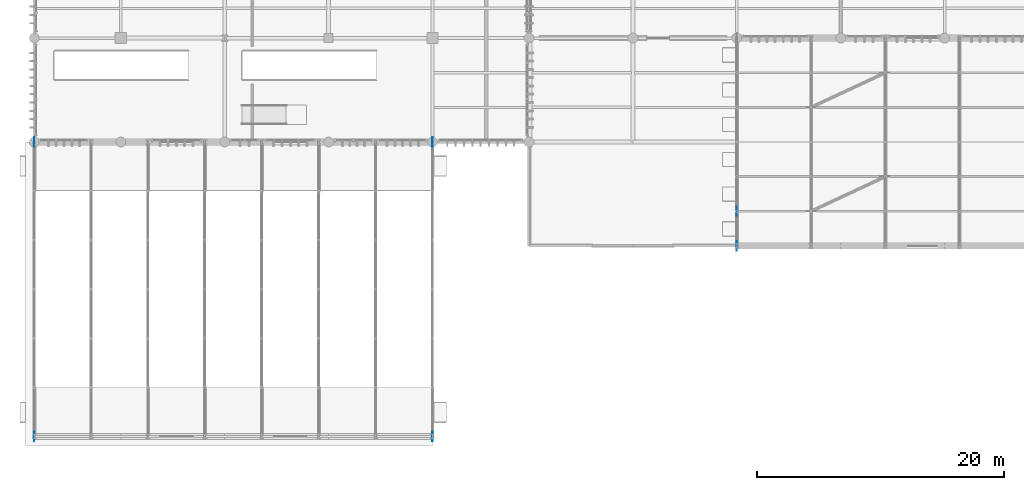
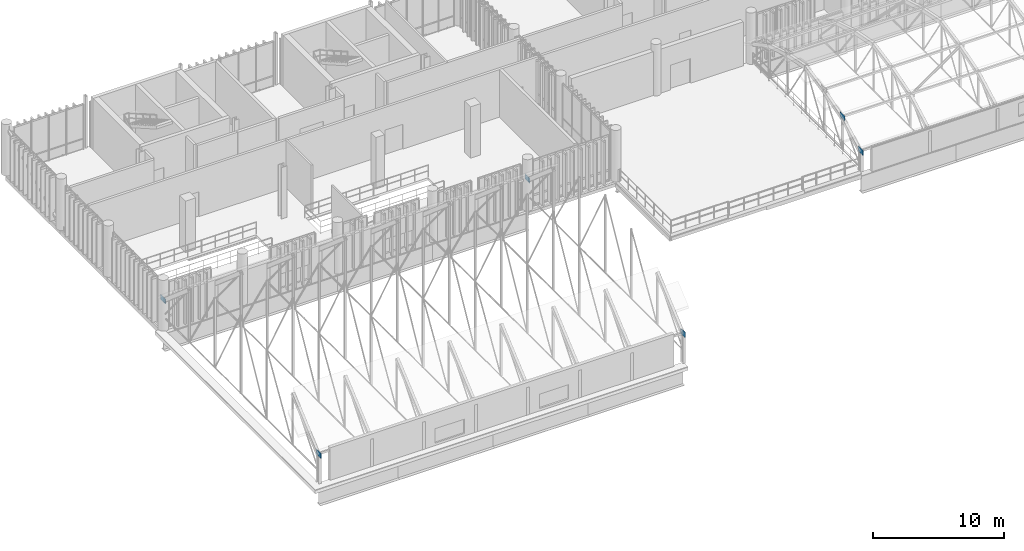
# One storey, part 89 of 109: 6 plates.
"""IFC4 building model written with IfcOpenShell, lengths in metres."""

from ifc_helpers import new_model, si_unit, direction, frame, origin_with_axes, origin_2d_with_axis, place, context, subcontext, project, spatial, rectangle, extrude, material, layer, layer_set, type_object, element, save


model = new_model("IFC4")

# Units and contexts
model_context = context("Model", 3, precision=1e-05, world=origin_with_axes(), true_north=direction((0.0, 1.0)))
body_context = subcontext(model_context, "Body", "Model", "MODEL_VIEW")
ifc_project = project(units=[si_unit("LENGTHUNIT", "METRE"), si_unit("AREAUNIT", "SQUARE_METRE"), si_unit("VOLUMEUNIT", "CUBIC_METRE"), si_unit("PLANEANGLEUNIT", "RADIAN"), si_unit("MASSUNIT", "GRAM", prefix="KILO"), si_unit("THERMODYNAMICTEMPERATUREUNIT", "KELVIN")], contexts=[model_context])

# Site, building, storey
site_placement = place(None, origin_with_axes())
site = spatial("IfcSite", under=ifc_project, at=site_placement, CompositionType="ELEMENT")
building_placement = place(site_placement, origin_with_axes())
building = spatial("IfcBuilding", under=site, at=building_placement, Name="Montbau Bow Law Courts", CompositionType="ELEMENT")
storey_placement = place(building_placement, frame((0.0, 0.0, 10.8), z_axis=(0.0, 0.0, 1.0), x_axis=(1.0, 0.0, 0.0)))
storey = spatial("IfcBuildingStorey", under=building, at=storey_placement, Name="L02", CompositionType="ELEMENT", Elevation=10.8)

# Plates
ifc_material = material(Name="Steel CSA G40.21 Grade 350W (350 MPa)", Category="steel")
ifc_layer = layer(ifc_material, 0.025, Name="Gusset Plate", Category="steel")
ifc_layer_set = layer_set([ifc_layer], Name="Steel CSA G40.21 Grade 350W (350 MPa)")
plate_type = type_object("IfcPlateType", Name="PL-GUS-02", PredefinedType="USERDEFINED", material=ifc_layer_set)
for number, where, z_axis, x_axis, name in (
    (1, (6.8, 6.8, 13.347), (0.0, 0.0, 1.0), (1.0, 0.0, 0.0), "ECP-V1-01:plt_0211"),
    (2, (6.8, 30.6, 13.347), (0.0, 0.0, 1.0), (1.0, 0.0, 0.0), "ECP-V1-07:plt_0217"),
    (3, (39.0, 6.8, 13.347), (0.0, 0.0, 1.0), (1.0, 0.0, 0.0), "ECP-V1-08:plt_0226"),
    (4, (39.0, 30.6, 13.347), (0.0, 0.0, 1.0), (1.0, 0.0, 0.0), "ECP-V1-14:plt_0232"),
    (5, (63.6, 22.2, 12.418), (0.0, 0.0, 1.0), (1.0, 0.0, 0.0), "ECP-V4-01:plt_0233"),
    (6, (63.6, 25.0, 13.923), (0.0, 0.0, 1.0), (1.0, 0.0, 0.0), "ECP-V4-02:plt_0234"),
):
    element("IfcPlate", number, at=place(None, frame(where, z_axis=z_axis, x_axis=x_axis)), inside=storey, type_object=plate_type, Name=name, ObjectType="GUSSET_PLATE", PredefinedType="USERDEFINED", context=body_context, shape_type="SweptSolid", body=[
        extrude(rectangle(XDim=0.025, YDim=0.76, at=origin_2d_with_axis()), origin_with_axes(), (0.0, 0.0, 1.0), 0.48),
    ])

save(model, "model.ifc")
